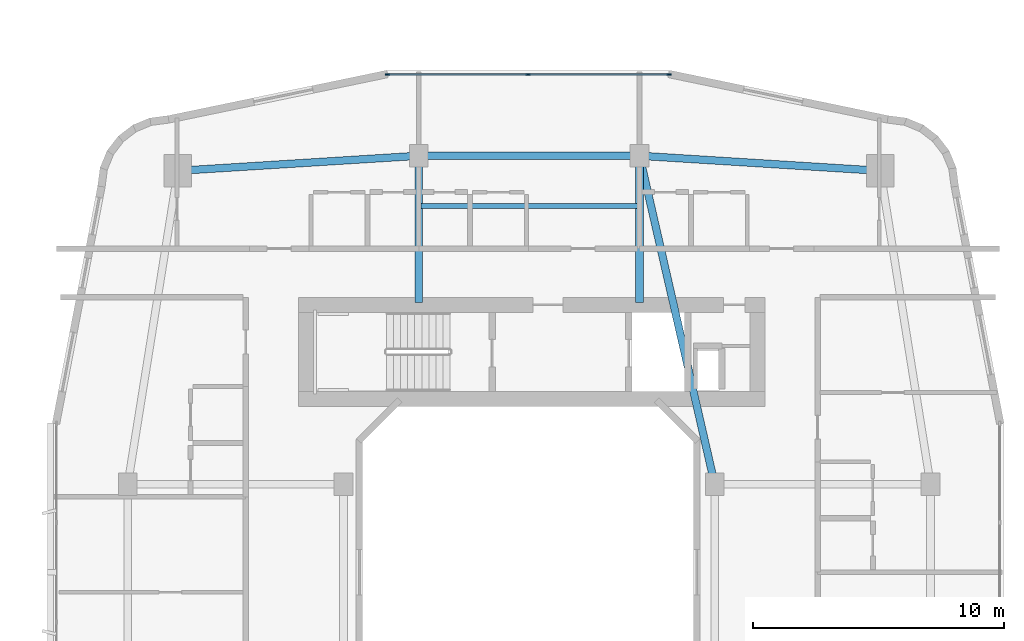
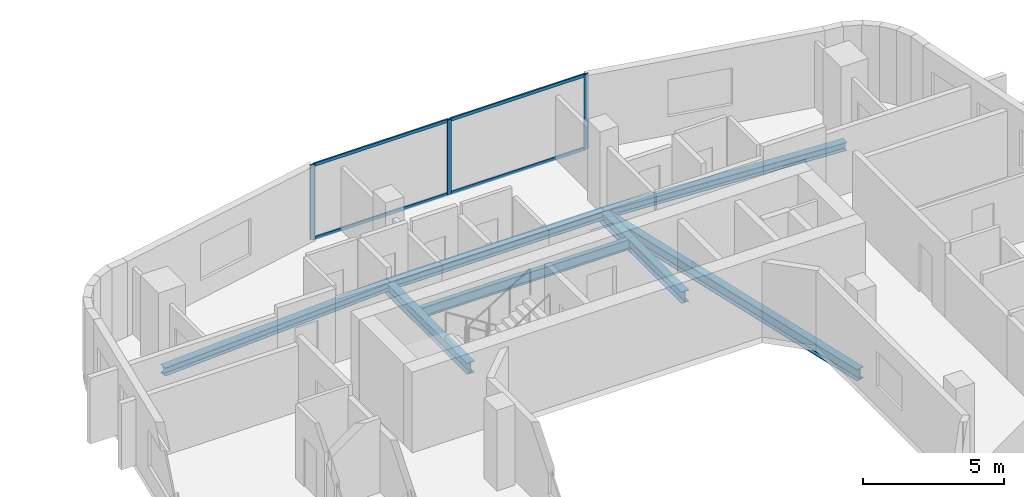
# One storey, part 11 of 27: 7 beams, 7 members, 1 element without a shape of its own.
"""IFC4 building model written with IfcOpenShell, lengths in metres."""

from ifc_helpers import new_model, si_unit, derived_unit, direction, frame, origin, origin_2d, place, context, subcontext, project, spatial, rectangle, i_section, extrude, material, layer, layer_set, material_profile, profile_set, type_object, element, aggregate, save


model = new_model("IFC4")

# Units and contexts
model_context = context("Model", 3, precision=1e-05, world=origin(), true_north=direction((0.0, 1.0)))
body_context = subcontext(model_context, "Body", "Model", "MODEL_VIEW")
ifc_project = project(units=[si_unit("LENGTHUNIT", "METRE"), si_unit("AREAUNIT", "SQUARE_METRE"), si_unit("VOLUMEUNIT", "CUBIC_METRE"), si_unit("PLANEANGLEUNIT", "RADIAN"), si_unit("MASSUNIT", "GRAM", prefix="KILO"), derived_unit("THERMALTRANSMITTANCEUNIT", [(si_unit("POWERUNIT", "WATT"), 1), (si_unit("LENGTHUNIT", "METRE"), -2), (si_unit("THERMODYNAMICTEMPERATUREUNIT", "KELVIN"), -1)])], contexts=[model_context])

# Site, building, storey
site_placement = place(None, origin())
site = spatial("IfcSite", under=ifc_project, at=site_placement, CompositionType="ELEMENT")
building_placement = place(site_placement, origin())
building = spatial("IfcBuilding", under=site, at=building_placement, Name="Kivonza Crest Hotel", CompositionType="ELEMENT")
storey_placement = place(building_placement, frame((0.0, 0.0, 31.0)))
storey = spatial("IfcBuildingStorey", under=building, at=storey_placement, Name="L07", CompositionType="ELEMENT", Elevation=31.0)

# Beams
ifc_material_1 = material(Name="Steel S355", Category="steel")
ifc_material_profile_1 = material_profile(ifc_material_1, i_section(OverallWidth=0.300048828125, OverallDepth=0.360107421875, WebThickness=0.012451171875, FlangeThickness=0.0224609375, FilletRadius=0.027099609375, at=origin_2d()), Name="HEB 360")
ifc_profile_set_1 = profile_set([ifc_material_profile_1], Name="Steel S355")
beam_type_1 = type_object("IfcBeamType", Name="BM-HEB360", PredefinedType="SPANDREL", material=ifc_profile_set_1)
beam_1_placement = place(storey_placement, frame((91.0, 41.0, -0.429931640625), z_axis=(-0.998051985873, 0.062387767186, 0.0), x_axis=(-0.062387767186, -0.998051985873, 0.0)))
element("IfcBeam", 1, at=beam_1_placement, inside=storey, type_object=beam_type_1, Name="Companion Tower T2 L07 perimeter spandrel NE-N2", PredefinedType="SPANDREL", context=body_context, shape_type="SweptSolid", body=[
    extrude(i_section(OverallWidth=0.300048828125, OverallDepth=0.360107421875, WebThickness=0.012451171875, FlangeThickness=0.0224609375, FilletRadius=0.027099609375, at=origin_2d()), origin(), (0.0, 0.0, 1.0), 9.618896484375),
])
beam_2_placement = place(storey_placement, frame((81.39990234375, 41.60009765625, -0.429931640625), z_axis=(-1.0, 0.0, 0.0), x_axis=(0.0, -1.0, 0.0)))
element("IfcBeam", 2, at=beam_2_placement, inside=storey, type_object=beam_type_1, Name="Companion Tower T2 L07 perimeter spandrel N2-N1", PredefinedType="SPANDREL", context=body_context, shape_type="SweptSolid", body=[
    extrude(i_section(OverallWidth=0.300048828125, OverallDepth=0.360107421875, WebThickness=0.012451171875, FlangeThickness=0.0224609375, FilletRadius=0.027099609375, at=origin_2d()), origin(), (0.0, 0.0, 1.0), 8.7998046875),
])
beam_3_placement = place(storey_placement, frame((72.60009765625, 41.60009765625, -0.429931640625), z_axis=(-0.998051985873, -0.062387767186, 0.0), x_axis=(0.062387767186, -0.998051985873, 0.0)))
element("IfcBeam", 3, at=beam_3_placement, inside=storey, type_object=beam_type_1, Name="Companion Tower T2 L07 perimeter spandrel N1-NW", PredefinedType="SPANDREL", context=body_context, shape_type="SweptSolid", body=[
    extrude(i_section(OverallWidth=0.300048828125, OverallDepth=0.360107421875, WebThickness=0.012451171875, FlangeThickness=0.0224609375, FilletRadius=0.027099609375, at=origin_2d()), origin(), (0.0, 0.0, 1.0), 9.618896484375),
])
ifc_material_profile_2 = material_profile(ifc_material_1, i_section(OverallWidth=0.300048828125, OverallDepth=0.5, WebThickness=0.014404296875, FlangeThickness=0.028076171875, FilletRadius=0.027099609375, at=origin_2d()), Name="HEB 500")
ifc_profile_set_2 = profile_set([ifc_material_profile_2], Name="Steel S355")
beam_type_2 = type_object("IfcBeamType", Name="BM-HEB500", PredefinedType="BEAM", material=ifc_profile_set_2)
beam_4_placement = place(storey_placement, frame((84.39990234375, 28.5, -0.5), z_axis=(-0.223227287589, 0.974766422317, 0.0), x_axis=(-0.974766422317, -0.223227287589, 0.0)))
element("IfcBeam", 4, at=beam_4_placement, inside=storey, type_object=beam_type_2, Name="Companion Tower T2 L07 girder WR2-N2", PredefinedType="BEAM", context=body_context, shape_type="SweptSolid", body=[
    extrude(i_section(OverallWidth=0.300048828125, OverallDepth=0.5, WebThickness=0.014404296875, FlangeThickness=0.028076171875, FilletRadius=0.027099609375, at=origin_2d()), origin(), (0.0, 0.0, 1.0), 13.439208984375),
])
for number, where, z_axis, x_axis, name in (
    (5, (72.60009765625, 41.60009765625, -0.5), (0.0, -1.0, 0.0), (1.0, 0.0, 0.0), "Companion T2 L07 radial core girder RN1"),
    (6, (81.39990234375, 41.60009765625, -0.5), (0.0, -1.0, 0.0), (1.0, 0.0, 0.0), "Companion T2 L07 radial core girder RN2"),
):
    element("IfcBeam", number, at=place(storey_placement, frame(where, z_axis=z_axis, x_axis=x_axis)), inside=storey, type_object=beam_type_2, Name=name, PredefinedType="BEAM", context=body_context, shape_type="SweptSolid", body=[
        extrude(i_section(OverallWidth=0.300048828125, OverallDepth=0.5, WebThickness=0.014404296875, FlangeThickness=0.028076171875, FilletRadius=0.027099609375, at=origin_2d()), origin(), (0.0, 0.0, 1.0), 5.85009765625),
    ])
ifc_material_profile_3 = material_profile(ifc_material_1, i_section(OverallWidth=0.18994140625, OverallDepth=0.449951171875, WebThickness=0.009521484375, FlangeThickness=0.0146484375, FilletRadius=0.02099609375, at=origin_2d()), Name="IPE 450")
ifc_profile_set_3 = profile_set([ifc_material_profile_3], Name="Steel S355")
beam_type_3 = type_object("IfcBeamType", Name="BM-IPE450", PredefinedType="JOIST", material=ifc_profile_set_3)
beam_5_placement = place(storey_placement, frame((72.679931640625, 39.60009765625, -0.47509765625), z_axis=(1.0, 0.0, 0.0), x_axis=(0.0, 1.0, 0.0)))
element("IfcBeam", 7, at=beam_5_placement, inside=storey, type_object=beam_type_3, Name="Companion Tower T2 L07 North floor joist", PredefinedType="JOIST", context=body_context, shape_type="SweptSolid", body=[
    extrude(i_section(OverallWidth=0.18994140625, OverallDepth=0.449951171875, WebThickness=0.009521484375, FlangeThickness=0.0146484375, FilletRadius=0.02099609375, at=origin_2d()), origin(), (0.0, 0.0, 1.0), 8.64013671875),
])

# Curtain wall, members
ifc_material_2 = material(Name="Anodised bronze aluminium and low-E double glazing", Category="aluminium")
ifc_layer = layer(ifc_material_2, 0.179931640625)
ifc_layer_set = layer_set([ifc_layer], Name="Anodised bronze aluminium and low-E double glazing")
curtain_wall_type = type_object("IfcCurtainWallType", Name="CW-SYS-4", PredefinedType="NOTDEFINED", material=ifc_layer_set)
curtain_wall_placement = place(storey_placement, origin())
curtain_wall = element("IfcCurtainWall", 8, at=curtain_wall_placement, inside=storey, type_object=curtain_wall_type, Name="L07 unitised curtain wall CW-T2-L07-26", PredefinedType="NOTDEFINED")
ifc_material_3 = material(Name="Anodised bronze aluminium", Category="aluminium")
ifc_material_profile_4 = material_profile(ifc_material_3, rectangle(XDim=0.06494140625, YDim=0.179931640625, at=origin_2d()), Name="CW-M 65x180")
ifc_profile_set_4 = profile_set([ifc_material_profile_4], Name="Anodised bronze aluminium")
member_type_1 = type_object("IfcMemberType", Name="CW-MUL-65x180", PredefinedType="MULLION", material=ifc_profile_set_4)
member_1_placement = place(storey_placement, frame((82.575439453125, 44.840087890625, 0.0), z_axis=(0.0, 0.0, 1.0), x_axis=(0.0, -1.0, 0.0)))
member_1 = element("IfcMember", 9, at=member_1_placement, type_object=member_type_1, Name="CW-4 mullion 1", PredefinedType="MULLION", context=body_context, shape_type="SweptSolid", body=[
    extrude(rectangle(XDim=0.06494140625, YDim=0.179931640625, at=origin_2d()), origin(), (0.0, 0.0, 1.0), 3.25),
])
member_2_placement = place(storey_placement, frame((76.9599609375, 44.840087890625, 0.0), z_axis=(0.0, 0.0, 1.0), x_axis=(0.0, -1.0, 0.0)))
member_2 = element("IfcMember", 10, at=member_2_placement, type_object=member_type_1, Name="CW-4 mullion 2", PredefinedType="MULLION", context=body_context, shape_type="SweptSolid", body=[
    extrude(rectangle(XDim=0.06494140625, YDim=0.179931640625, at=origin_2d()), origin(), (0.0, 0.0, 1.0), 3.25),
])
member_3_placement = place(storey_placement, frame((71.344482421875, 44.840087890625, 0.0), z_axis=(0.0, 0.0, 1.0), x_axis=(0.0, -1.0, 0.0)))
member_3 = element("IfcMember", 11, at=member_3_placement, type_object=member_type_1, Name="CW-4 mullion 3", PredefinedType="MULLION", context=body_context, shape_type="SweptSolid", body=[
    extrude(rectangle(XDim=0.06494140625, YDim=0.179931640625, at=origin_2d()), origin(), (0.0, 0.0, 1.0), 3.25),
])
ifc_material_profile_5 = material_profile(ifc_material_3, rectangle(XDim=0.06494140625, YDim=0.139892578125, at=origin_2d()), Name="CW-T 65x140")
ifc_profile_set_5 = profile_set([ifc_material_profile_5], Name="Anodised bronze aluminium")
member_type_2 = type_object("IfcMemberType", Name="CW-TRN-65x140", PredefinedType="USERDEFINED", material=ifc_profile_set_5)
member_4_placement = place(storey_placement, frame((82.54296875, 44.840087890625, 0.032470703125), z_axis=(-1.0, 0.0, 0.0), x_axis=(0.0, -1.0, 0.0)))
member_4 = element("IfcMember", 12, at=member_4_placement, type_object=member_type_2, Name="CW-4 transom 1.1", ObjectType="TRANSOM", PredefinedType="USERDEFINED", context=body_context, shape_type="SweptSolid", body=[
    extrude(rectangle(XDim=0.06494140625, YDim=0.139892578125, at=origin_2d()), origin(), (0.0, 0.0, 1.0), 5.550537109375),
])
member_5_placement = place(storey_placement, frame((82.54296875, 44.840087890625, 3.217529296875), z_axis=(-1.0, 0.0, 0.0), x_axis=(0.0, -1.0, 0.0)))
member_5 = element("IfcMember", 13, at=member_5_placement, type_object=member_type_2, Name="CW-4 transom 1.2", ObjectType="TRANSOM", PredefinedType="USERDEFINED", context=body_context, shape_type="SweptSolid", body=[
    extrude(rectangle(XDim=0.06494140625, YDim=0.139892578125, at=origin_2d()), origin(), (0.0, 0.0, 1.0), 5.550537109375),
])
member_6_placement = place(storey_placement, frame((76.927490234375, 44.840087890625, 0.032470703125), z_axis=(-1.0, 0.0, 0.0), x_axis=(0.0, -1.0, 0.0)))
member_6 = element("IfcMember", 14, at=member_6_placement, type_object=member_type_2, Name="CW-4 transom 2.1", ObjectType="TRANSOM", PredefinedType="USERDEFINED", context=body_context, shape_type="SweptSolid", body=[
    extrude(rectangle(XDim=0.06494140625, YDim=0.139892578125, at=origin_2d()), origin(), (0.0, 0.0, 1.0), 5.550537109375),
])
member_7_placement = place(storey_placement, frame((76.927490234375, 44.840087890625, 3.217529296875), z_axis=(-1.0, 0.0, 0.0), x_axis=(0.0, -1.0, 0.0)))
member_7 = element("IfcMember", 15, at=member_7_placement, type_object=member_type_2, Name="CW-4 transom 2.2", ObjectType="TRANSOM", PredefinedType="USERDEFINED", context=body_context, shape_type="SweptSolid", body=[
    extrude(rectangle(XDim=0.06494140625, YDim=0.139892578125, at=origin_2d()), origin(), (0.0, 0.0, 1.0), 5.550537109375),
])
aggregate(curtain_wall, [member_1, member_2, member_3, member_4, member_5, member_6, member_7])

save(model, "model.ifc")
